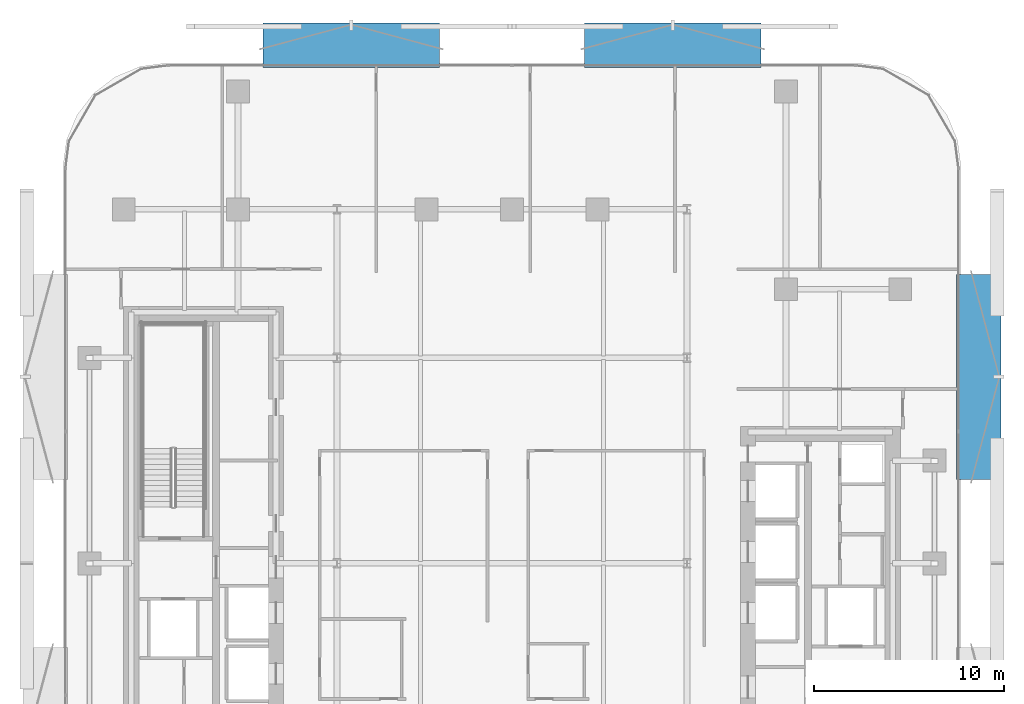
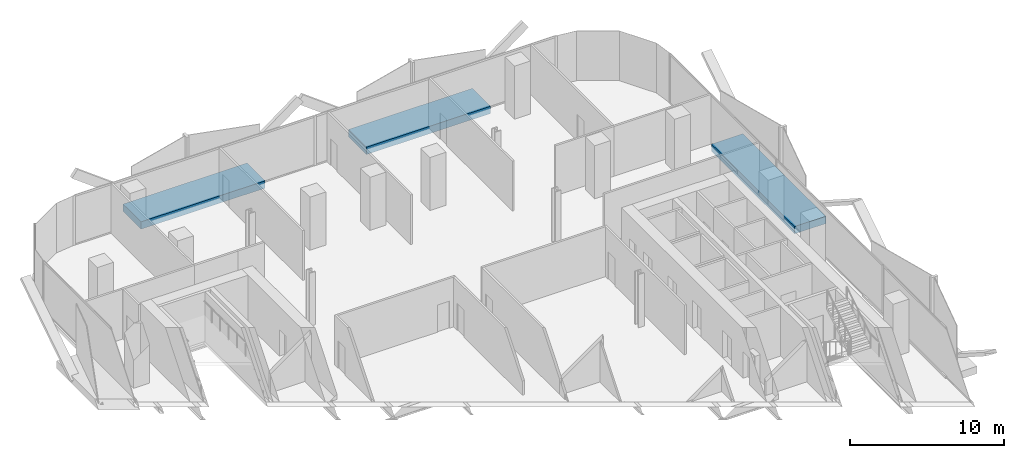
# One storey, part 7 of 16: 3 discrete accessories.
"""IFC4 building model written with IfcOpenShell, lengths in metres."""

from ifc_helpers import new_model, si_unit, direction, frame, origin, origin_2d, place, context, subcontext, project, spatial, rectangle, extrude, material, type_object, element, save


model = new_model("IFC4")

# Units and contexts
model_context = context("Model", 3, precision=1e-05, world=origin(), true_north=direction((0.0, 1.0)))
body_context = subcontext(model_context, "Body", "Model", "MODEL_VIEW")
ifc_project = project(units=[si_unit("LENGTHUNIT", "METRE"), si_unit("AREAUNIT", "SQUARE_METRE"), si_unit("VOLUMEUNIT", "CUBIC_METRE"), si_unit("PLANEANGLEUNIT", "RADIAN"), si_unit("MASSUNIT", "GRAM", prefix="KILO")], contexts=[model_context])

# Site, building, storey
site_placement = place(None, origin())
site = spatial("IfcSite", under=ifc_project, at=site_placement, CompositionType="ELEMENT")
building_placement = place(site_placement, origin())
building = spatial("IfcBuilding", under=site, at=building_placement, Name="Khairoan Windgate Tower", CompositionType="ELEMENT")
storey_placement = place(building_placement, frame((0.0, 0.0, 139.39990234375)))
storey = spatial("IfcBuildingStorey", under=building, at=storey_placement, Name="L32", CompositionType="ELEMENT", Elevation=139.39990234375)

# Discrete accessories
ifc_material = material(Name="Steel S355", Category="steel")
discrete_accessory_type = type_object("IfcDiscreteAccessoryType", Name="Solar Screen Outrigger Slab Bracket SSB-1", PredefinedType="BRACKET", material=ifc_material)
for number, where, z_axis, x_axis, name in (
    (1, (-8.4453125, 27.22998046875, -0.419921875), (0.0, 0.0, 1.0), (1.0, 0.0, 0.0), "L32 Solar Screen Outrigger Bracket 205"),
    (2, (8.4453125, 27.22998046875, -0.419921875), (0.0, 0.0, 1.0), (1.0, 0.0, 0.0), "L32 Solar Screen Outrigger Bracket 206"),
):
    element("IfcDiscreteAccessory", number, at=place(storey_placement, frame(where, z_axis=z_axis, x_axis=x_axis)), inside=storey, type_object=discrete_accessory_type, Name=name, PredefinedType="BRACKET", context=body_context, shape_type="SweptSolid", body=[
        extrude(rectangle(XDim=9.2900390625, YDim=2.340087890625, at=origin_2d()), origin(), (0.0, 0.0, 1.0), 0.580078125),
    ])
discrete_accessory_placement = place(storey_placement, frame((24.530029296875, 9.79541015625, -0.419921875), z_axis=(0.0, 0.0, 1.0), x_axis=(0.0, -1.0, 0.0)))
element("IfcDiscreteAccessory", 3, at=discrete_accessory_placement, inside=storey, type_object=discrete_accessory_type, Name="L32 Solar Screen Outrigger Bracket 207", PredefinedType="BRACKET", context=body_context, shape_type="SweptSolid", body=[
    extrude(rectangle(XDim=10.77490234375, YDim=2.340087890625, at=origin_2d()), origin(), (0.0, 0.0, 1.0), 0.580078125),
])

save(model, "model.ifc")
